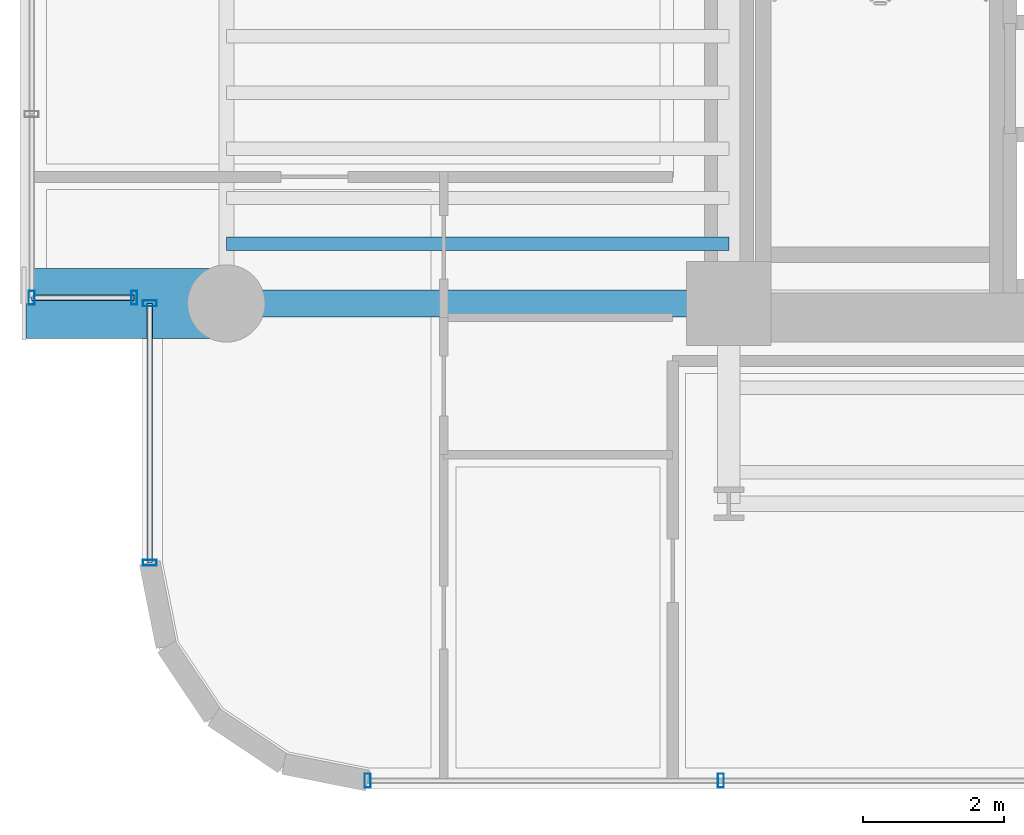
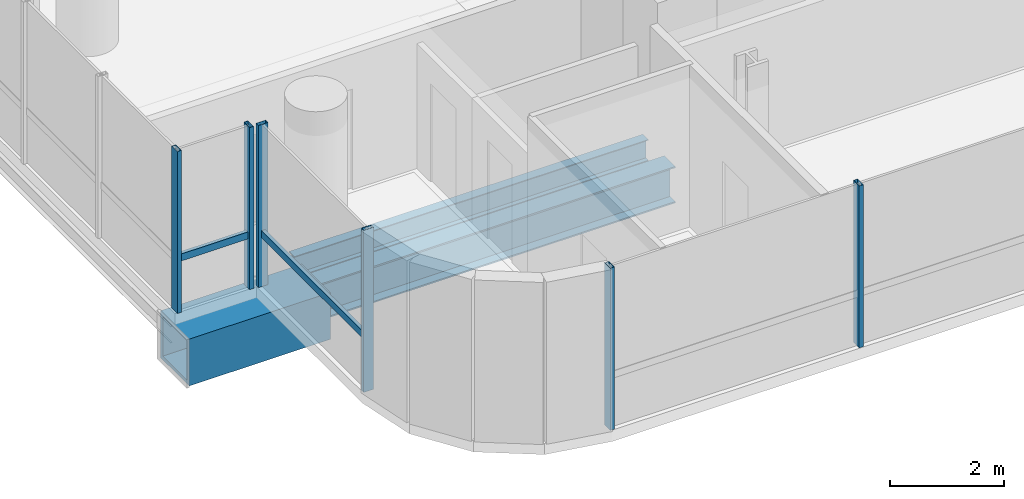
# One storey, part 2 of 37: 8 members, 3 beams, 3 elements without a shape of their own.
"""IFC4 building model written with IfcOpenShell, lengths in metres."""

from ifc_helpers import new_model, si_unit, direction, frame, origin, origin_2d, place, context, subcontext, project, spatial, hollow_rectangle, i_section, extrude, source, transform, mapped, material, material_profile, profile_set, type_object, element, aggregate, save


model = new_model("IFC4")

# Units and contexts
model_context = context("Model", 3, precision=1e-05, world=origin(), true_north=direction((0.0, 1.0)))
body_context = subcontext(model_context, "Body", "Model", "MODEL_VIEW")
ifc_project = project(units=[si_unit("LENGTHUNIT", "METRE"), si_unit("AREAUNIT", "SQUARE_METRE"), si_unit("VOLUMEUNIT", "CUBIC_METRE"), si_unit("PLANEANGLEUNIT", "RADIAN"), si_unit("MASSUNIT", "GRAM", prefix="KILO")], contexts=[model_context])

# Site, building, storey
site_placement = place(None, origin())
site = spatial("IfcSite", under=ifc_project, at=site_placement, CompositionType="ELEMENT")
building_placement = place(site_placement, origin())
building = spatial("IfcBuilding", under=site, at=building_placement, Name="Valdorenza Pilgrim Sanctuary Tower", CompositionType="ELEMENT")
storey_placement = place(building_placement, frame((0.0, 0.0, 127.89990234375)))
storey = spatial("IfcBuildingStorey", under=building, at=storey_placement, Name="L32", CompositionType="ELEMENT", Elevation=127.89990234375)

# Beams
ifc_material_1 = material(Name="Steel ASTM A992 Grade 50", Category="steel")
ifc_material_profile_1 = material_profile(ifc_material_1, i_section(OverallWidth=0.382080078125, OverallDepth=0.779052734375, WebThickness=0.01806640625, FlangeThickness=0.030029296875, at=origin_2d()), Name="W30X191")
ifc_profile_set_1 = profile_set([ifc_material_profile_1], Name="Steel ASTM A992 Grade 50")
beam_type_1 = type_object("IfcBeamType", Name="STR-BM-GRD-W30", PredefinedType="BEAM", material=ifc_profile_set_1)
shared_shape_1 = source(origin(), body_context, "Body", "SweptSolid", [
    extrude(i_section(OverallWidth=0.382080078125, OverallDepth=0.779052734375, WebThickness=0.01806640625, FlangeThickness=0.030029296875, at=origin_2d()), origin(), (0.0, 0.0, 1.0), 7.150146484375),
])
beam_1_placement = place(storey_placement, frame((-29.800048828125, -10.60009765625, -0.62939453125), z_axis=(1.0, 0.0, 0.0), x_axis=(0.0, 1.0, 0.0)))
element("IfcBeam", 1, at=beam_1_placement, inside=storey, type_object=beam_type_1, Name="L32 Floor Girder WA-XW-S1", PredefinedType="BEAM", context=body_context, shape_type="MappedRepresentation", body=[
    mapped(shared_shape_1, transform((0.0, 0.0, 0.0), x_axis=(1.0, 0.0, 0.0), y_axis=(0.0, 1.0, 0.0), z_axis=(0.0, 0.0, 1.0), scale=1.0)),
])
ifc_material_profile_2 = material_profile(ifc_material_1, i_section(OverallWidth=0.19091796875, OverallDepth=0.45703125, WebThickness=0.009033203125, FlangeThickness=0.014404296875, at=origin_2d()), Name="W18X50")
ifc_profile_set_2 = profile_set([ifc_material_profile_2], Name="Steel ASTM A992 Grade 50")
beam_type_2 = type_object("IfcBeamType", Name="STR-BM-JST-W18B", PredefinedType="JOIST", material=ifc_profile_set_2)
shared_shape_2 = source(origin(), body_context, "Body", "SweptSolid", [
    extrude(i_section(OverallWidth=0.19091796875, OverallDepth=0.45703125, WebThickness=0.009033203125, FlangeThickness=0.014404296875, at=origin_2d()), origin(), (0.0, 0.0, 1.0), 7.150146484375),
])
beam_2_placement = place(storey_placement, frame((-29.800048828125, -9.75, -0.468505859375), z_axis=(1.0, 0.0, 0.0), x_axis=(0.0, 1.0, 0.0)))
element("IfcBeam", 2, at=beam_2_placement, inside=storey, type_object=beam_type_2, Name="L32 Composite Floor Joist JST-WA-1", PredefinedType="JOIST", context=body_context, shape_type="MappedRepresentation", body=[
    mapped(shared_shape_2, transform((0.0, 0.0, 0.0), x_axis=(1.0, 0.0, 0.0), y_axis=(0.0, 1.0, 0.0), z_axis=(0.0, 0.0, 1.0), scale=1.0)),
])
ifc_material_2 = material(Name="Steel ASTM A572 Grade 42", Category="steel")
ifc_material_profile_3 = material_profile(ifc_material_2, hollow_rectangle(XDim=1.0, YDim=1.0, WallThickness=0.080078125, at=origin_2d()), Name="BOX 1000x1000x80")
ifc_profile_set_3 = profile_set([ifc_material_profile_3], Name="Steel ASTM A572 Grade 42")
beam_type_3 = type_object("IfcBeamType", Name="STR-BM-PROW-CANT", PredefinedType="BEAM", material=ifc_profile_set_3)
shared_shape_3 = source(origin(), body_context, "Body", "SweptSolid", [
    extrude(hollow_rectangle(XDim=1.0, YDim=1.0, WallThickness=0.080078125, at=origin_2d()), origin(), (0.0, 0.0, 1.0), 2.849853515625),
])
beam_3_placement = place(storey_placement, frame((-29.800048828125, -10.60009765625, -0.739990234375), z_axis=(-1.0, 0.0, 0.0), x_axis=(0.0, -1.0, 0.0)))
element("IfcBeam", 3, at=beam_3_placement, inside=storey, type_object=beam_type_3, Name="L32 Glass Box Cantilever Beam BOX-WA-L32-CT-S", PredefinedType="BEAM", context=body_context, shape_type="MappedRepresentation", body=[
    mapped(shared_shape_3, transform((0.0, 0.0, 0.0), x_axis=(1.0, 0.0, 0.0), y_axis=(0.0, 1.0, 0.0), z_axis=(0.0, 0.0, 1.0), scale=1.0)),
])

# Curtain wall, member
ifc_material_3 = material(Name="Curtain-wall IGU glazing", Category="glass")
curtain_wall_type = type_object("IfcCurtainWallType", Name="CW-SYS-02", PredefinedType="NOTDEFINED", material=ifc_material_3)
curtain_wall_1_placement = place(storey_placement, origin())
curtain_wall_1 = element("IfcCurtainWall", 4, at=curtain_wall_1_placement, inside=storey, type_object=curtain_wall_type, Name="L32 Curtain Wall CW-L32-BOX-WA-L32-S", PredefinedType="NOTDEFINED")
ifc_material_4 = material(Name="Anodised aluminium AW-6060", Category="aluminium")
ifc_material_profile_4 = material_profile(ifc_material_4, hollow_rectangle(XDim=0.074951171875, YDim=0.14990234375, WallThickness=0.00390625, at=origin_2d()), Name="ALU-T 150x75x4")
ifc_profile_set_4 = profile_set([ifc_material_profile_4], Name="Anodised aluminium AW-6060")
member_type_1 = type_object("IfcMemberType", Name="CW-TRN-02", PredefinedType="USERDEFINED", material=ifc_profile_set_4)
shared_shape_4 = source(origin(), body_context, "Body", "SweptSolid", [
    extrude(hollow_rectangle(XDim=0.074951171875, YDim=0.14990234375, WallThickness=0.00390625, at=origin_2d()), origin(), (0.0, 0.0, 1.0), 1.4599609375),
])
member_1_placement = place(storey_placement, frame((-31.110107421875, -10.52001953125, 1.1201171875), z_axis=(-1.0, 0.0, 0.0), x_axis=(0.0, -1.0, 0.0)))
member_1 = element("IfcMember", 5, at=member_1_placement, type_object=member_type_1, Name="CW-L32-BOX-WA-L32-S Transom 1", ObjectType="TRANSOM", PredefinedType="USERDEFINED", context=body_context, shape_type="MappedRepresentation", body=[
    mapped(shared_shape_4, transform((0.0, 0.0, 0.0), x_axis=(1.0, 0.0, 0.0), y_axis=(0.0, 1.0, 0.0), z_axis=(0.0, 0.0, 1.0), scale=1.0)),
])

# Curtain wall, members
curtain_wall_2_placement = place(storey_placement, origin())
curtain_wall_2 = element("IfcCurtainWall", 6, at=curtain_wall_2_placement, inside=storey, type_object=curtain_wall_type, Name="L32 Curtain Wall CW-L32-1-1S1", PredefinedType="NOTDEFINED")
ifc_material_profile_5 = material_profile(ifc_material_4, hollow_rectangle(XDim=0.0849609375, YDim=0.199951171875, WallThickness=0.0048828125, at=origin_2d()), Name="ALU-M 200x85x5")
ifc_profile_set_5 = profile_set([ifc_material_profile_5], Name="Anodised aluminium AW-6060")
member_type_2 = type_object("IfcMemberType", Name="CW-MUL-02", PredefinedType="MULLION", material=ifc_profile_set_5)
shared_shape_5 = source(origin(), body_context, "Body", "SweptSolid", [
    extrude(hollow_rectangle(XDim=0.0849609375, YDim=0.199951171875, WallThickness=0.0048828125, at=origin_2d()), origin(), (0.0, 0.0, 1.0), 3.460205078125),
])
member_2_placement = place(storey_placement, frame((-30.889892578125, -14.289306640625, 0.0), z_axis=(0.0, 0.0, 1.0), x_axis=(0.0, 1.0, 0.0)))
member_2 = element("IfcMember", 7, at=member_2_placement, type_object=member_type_2, Name="CW-L32-1-1S1 Mullion 1", PredefinedType="MULLION", context=body_context, shape_type="MappedRepresentation", body=[
    mapped(shared_shape_5, transform((0.0, 0.0, 0.0), x_axis=(1.0, 0.0, 0.0), y_axis=(0.0, 1.0, 0.0), z_axis=(0.0, 0.0, 1.0), scale=1.0)),
])
member_3_placement = place(storey_placement, frame((-30.889892578125, -10.60009765625, 0.0), z_axis=(0.0, 0.0, 1.0), x_axis=(0.0, 1.0, 0.0)))
member_3 = element("IfcMember", 8, at=member_3_placement, type_object=member_type_2, Name="CW-L32-1-1S1 Mullion 2", PredefinedType="MULLION", context=body_context, shape_type="MappedRepresentation", body=[
    mapped(shared_shape_5, transform((0.0, 0.0, 0.0), x_axis=(1.0, 0.0, 0.0), y_axis=(0.0, 1.0, 0.0), z_axis=(0.0, 0.0, 1.0), scale=1.0)),
])

curtain_wall_3_placement = place(storey_placement, origin())
curtain_wall_3 = element("IfcCurtainWall", 9, at=curtain_wall_3_placement, inside=storey, type_object=curtain_wall_type, Name="L32 Curtain Wall CW-L32-1-46", PredefinedType="NOTDEFINED")
member_4_placement = place(storey_placement, frame((-22.76318359375, -17.389892578125, 0.0), z_axis=(0.0, 0.0, 1.0), x_axis=(-1.0, 0.0, 0.0)))
member_4 = element("IfcMember", 10, at=member_4_placement, type_object=member_type_2, Name="CW-L32-1-46 Mullion 3", PredefinedType="MULLION", context=body_context, shape_type="MappedRepresentation", body=[
    mapped(shared_shape_5, transform((0.0, 0.0, 0.0), x_axis=(1.0, 0.0, 0.0), y_axis=(0.0, 1.0, 0.0), z_axis=(0.0, 0.0, 1.0), scale=1.0)),
])
member_5_placement = place(storey_placement, frame((-27.789306640625, -17.389892578125, 0.0), z_axis=(0.0, 0.0, 1.0), x_axis=(-1.0, 0.0, 0.0)))
member_5 = element("IfcMember", 11, at=member_5_placement, type_object=member_type_2, Name="CW-L32-1-46 Mullion 4", PredefinedType="MULLION", context=body_context, shape_type="MappedRepresentation", body=[
    mapped(shared_shape_5, transform((0.0, 0.0, 0.0), x_axis=(1.0, 0.0, 0.0), y_axis=(0.0, 1.0, 0.0), z_axis=(0.0, 0.0, 1.0), scale=1.0)),
])
aggregate(curtain_wall_3, [member_4, member_5])

# Member
member_6_placement = place(storey_placement, frame((-31.110107421875, -10.52001953125, 0.0), z_axis=(0.0, 0.0, 1.0), x_axis=(-1.0, 0.0, 0.0)))
member_6 = element("IfcMember", 12, at=member_6_placement, type_object=member_type_2, Name="CW-L32-BOX-WA-L32-S Mullion 1", PredefinedType="MULLION", context=body_context, shape_type="MappedRepresentation", body=[
    mapped(shared_shape_5, transform((0.0, 0.0, 0.0), x_axis=(1.0, 0.0, 0.0), y_axis=(0.0, 1.0, 0.0), z_axis=(0.0, 0.0, 1.0), scale=1.0)),
])

member_7_placement = place(storey_placement, frame((-32.570068359375, -10.52001953125, 0.0), z_axis=(0.0, 0.0, 1.0), x_axis=(-1.0, 0.0, 0.0)))
member_7 = element("IfcMember", 13, at=member_7_placement, type_object=member_type_2, Name="CW-L32-BOX-WA-L32-S Mullion 2", PredefinedType="MULLION", context=body_context, shape_type="MappedRepresentation", body=[
    mapped(shared_shape_5, transform((0.0, 0.0, 0.0), x_axis=(1.0, 0.0, 0.0), y_axis=(0.0, 1.0, 0.0), z_axis=(0.0, 0.0, 1.0), scale=1.0)),
])

aggregate(curtain_wall_1, [member_6, member_7, member_1])

shared_shape_6 = source(origin(), body_context, "Body", "SweptSolid", [
    extrude(hollow_rectangle(XDim=0.074951171875, YDim=0.14990234375, WallThickness=0.00390625, at=origin_2d()), origin(), (0.0, 0.0, 1.0), 3.689208984375),
])
member_8_placement = place(storey_placement, frame((-30.889892578125, -14.289306640625, 1.1201171875), z_axis=(0.0, 1.0, 0.0), x_axis=(-1.0, 0.0, 0.0)))
member_8 = element("IfcMember", 14, at=member_8_placement, type_object=member_type_1, Name="CW-L32-1-1S1 Transom 1", ObjectType="TRANSOM", PredefinedType="USERDEFINED", context=body_context, shape_type="MappedRepresentation", body=[
    mapped(shared_shape_6, transform((0.0, 0.0, 0.0), x_axis=(1.0, 0.0, 0.0), y_axis=(0.0, 1.0, 0.0), z_axis=(0.0, 0.0, 1.0), scale=1.0)),
])

aggregate(curtain_wall_2, [member_2, member_3, member_8])

save(model, "model.ifc")
